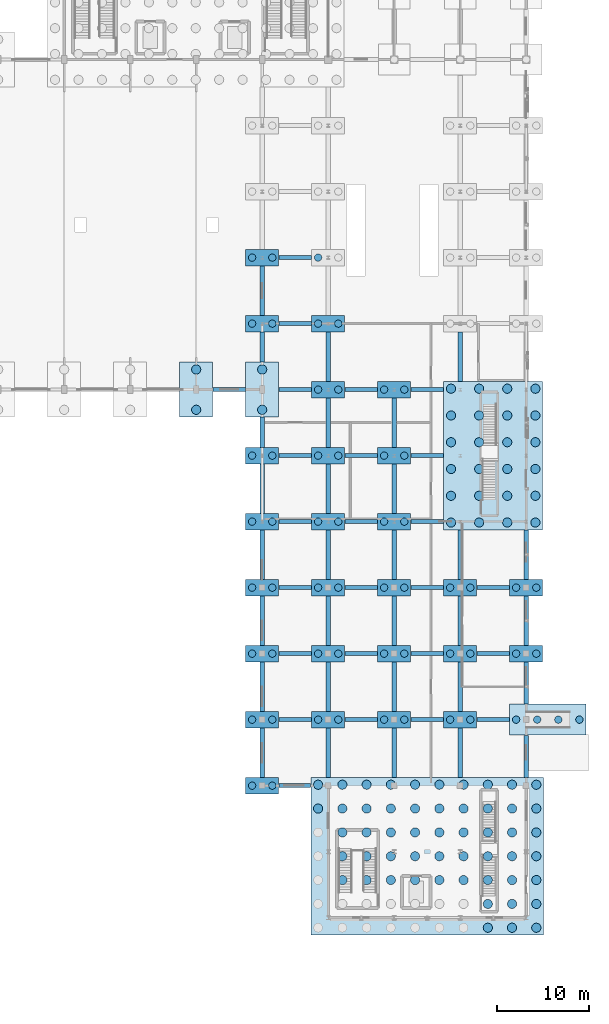
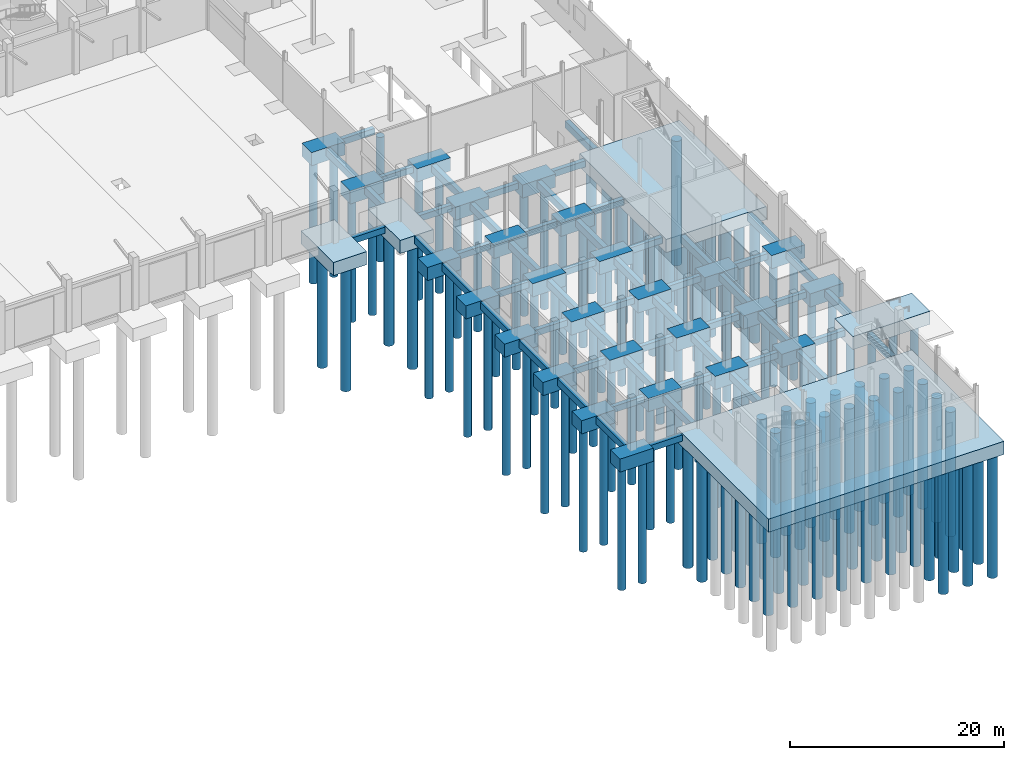
# One storey, part 4 of 45: 138 piles, 86 footings.
"""IFC4 building model written with IfcOpenShell, lengths in metres."""

from ifc_helpers import new_model, si_unit, direction, frame, origin, origin_2d, place, context, subcontext, project, spatial, rectangle, circle, extrude, material, material_profile, profile_set, type_object, element, save


model = new_model("IFC4")

# Units and contexts
model_context = context("Model", 3, precision=1e-05, world=origin(), true_north=direction((0.0, 1.0)))
body_context = subcontext(model_context, "Body", "Model", "MODEL_VIEW")
ifc_project = project(units=[si_unit("LENGTHUNIT", "METRE"), si_unit("AREAUNIT", "SQUARE_METRE"), si_unit("VOLUMEUNIT", "CUBIC_METRE"), si_unit("PLANEANGLEUNIT", "RADIAN"), si_unit("MASSUNIT", "GRAM", prefix="KILO")], contexts=[model_context])

# Site, building, storey
site_placement = place(None, origin())
site = spatial("IfcSite", under=ifc_project, at=site_placement, CompositionType="ELEMENT")
building_placement = place(site_placement, origin())
building = spatial("IfcBuilding", under=site, at=building_placement, Name="Yarey Park Central Fire Station", CompositionType="ELEMENT")
storey_placement = place(building_placement, origin())
storey = spatial("IfcBuildingStorey", under=building, at=storey_placement, Name="L01", CompositionType="ELEMENT", Elevation=0.0)

# Footings
ifc_material = material(Name="Concrete C35/45", Category="concrete")
footing_type_1 = type_object("IfcFootingType", Name="STR_CAP_M03", PredefinedType="PILE_CAP", material=ifc_material)
footing_1_placement = place(storey_placement, frame((154.800048828125, 6.699951171875, -1.5), z_axis=(0.0, 0.0, 1.0), x_axis=(1.0, 0.0, 0.0)))
element("IfcFooting", 1, at=footing_1_placement, inside=storey, type_object=footing_type_1, Name="FDN_CAP_003", PredefinedType="PILE_CAP", context=body_context, shape_type="SweptSolid", body=[
    extrude(rectangle(XDim=25.39990234375, YDim=17.199951171875, at=origin_2d()), origin(), (0.0, 0.0, 1.0), 1.5),
])
footing_type_2 = type_object("IfcFootingType", Name="STR_CAP_M04", PredefinedType="PILE_CAP", material=ifc_material)
footing_2_placement = place(storey_placement, frame((162.0, 50.39990234375, -1.5), z_axis=(0.0, 0.0, 1.0), x_axis=(1.0, 0.0, 0.0)))
element("IfcFooting", 2, at=footing_2_placement, inside=storey, type_object=footing_type_2, Name="FDN_CAP_004", PredefinedType="PILE_CAP", context=body_context, shape_type="SweptSolid", body=[
    extrude(rectangle(XDim=10.800048828125, YDim=16.199951171875, at=origin_2d()), origin(), (0.0, 0.0, 1.0), 1.5),
])
footing_type_3 = type_object("IfcFootingType", Name="STR_CAP_M09", PredefinedType="PILE_CAP", material=ifc_material)
footing_3_placement = place(storey_placement, frame((167.949951171875, 21.60009765625, -1.5), z_axis=(0.0, 0.0, 1.0), x_axis=(1.0, 0.0, 0.0)))
element("IfcFooting", 3, at=footing_3_placement, inside=storey, type_object=footing_type_3, Name="FDN_CAP_009", PredefinedType="PILE_CAP", context=body_context, shape_type="SweptSolid", body=[
    extrude(rectangle(XDim=8.300048828125, YDim=3.39990234375, at=origin_2d()), origin(), (0.0, 0.0, 1.0), 1.5),
])
footing_type_4 = type_object("IfcFootingType", Name="STR_CAP_PC2", PredefinedType="PILE_CAP", material=ifc_material)
for number, where, z_axis, x_axis, name in (
    (4, (136.800048828125, 14.39990234375, -1.5), (0.0, 0.0, 1.0), (1.0, 0.0, 0.0), "FDN_CAP_092"),
    (5, (136.800048828125, 21.60009765625, -1.5), (0.0, 0.0, 1.0), (1.0, 0.0, 0.0), "FDN_CAP_093"),
    (6, (136.800048828125, 28.800048828125, -1.5), (0.0, 0.0, 1.0), (1.0, 0.0, 0.0), "FDN_CAP_094"),
    (7, (136.800048828125, 36.0, -1.5), (0.0, 0.0, 1.0), (1.0, 0.0, 0.0), "FDN_CAP_095"),
    (8, (136.800048828125, 43.199951171875, -1.5), (0.0, 0.0, 1.0), (1.0, 0.0, 0.0), "FDN_CAP_096"),
    (9, (136.800048828125, 50.39990234375, -1.5), (0.0, 0.0, 1.0), (1.0, 0.0, 0.0), "FDN_CAP_097"),
    (10, (136.800048828125, 64.800048828125, -1.5), (0.0, 0.0, 1.0), (1.0, 0.0, 0.0), "FDN_CAP_099"),
    (11, (136.800048828125, 72.0, -1.5), (0.0, 0.0, 1.0), (1.0, 0.0, 0.0), "FDN_CAP_100"),
    (12, (144.0, 21.60009765625, -1.5), (0.0, 0.0, 1.0), (1.0, 0.0, 0.0), "FDN_CAP_105"),
    (13, (144.0, 28.800048828125, -1.5), (0.0, 0.0, 1.0), (1.0, 0.0, 0.0), "FDN_CAP_106"),
    (14, (144.0, 36.0, -1.5), (0.0, 0.0, 1.0), (1.0, 0.0, 0.0), "FDN_CAP_107"),
    (15, (144.0, 43.199951171875, -1.5), (0.0, 0.0, 1.0), (1.0, 0.0, 0.0), "FDN_CAP_108"),
    (16, (144.0, 50.39990234375, -1.5), (0.0, 0.0, 1.0), (1.0, 0.0, 0.0), "FDN_CAP_109"),
    (17, (144.0, 57.60009765625, -1.5), (0.0, 0.0, 1.0), (1.0, 0.0, 0.0), "FDN_CAP_110"),
    (18, (144.0, 64.800048828125, -1.5), (0.0, 0.0, 1.0), (1.0, 0.0, 0.0), "FDN_CAP_111"),
    (19, (151.199951171875, 21.60009765625, -1.5), (0.0, 0.0, 1.0), (1.0, 0.0, 0.0), "FDN_CAP_117"),
    (20, (151.199951171875, 28.800048828125, -1.5), (0.0, 0.0, 1.0), (1.0, 0.0, 0.0), "FDN_CAP_118"),
    (21, (151.199951171875, 36.0, -1.5), (0.0, 0.0, 1.0), (1.0, 0.0, 0.0), "FDN_CAP_119"),
    (22, (151.199951171875, 43.199951171875, -1.5), (0.0, 0.0, 1.0), (1.0, 0.0, 0.0), "FDN_CAP_120"),
    (23, (151.199951171875, 50.39990234375, -1.5), (0.0, 0.0, 1.0), (1.0, 0.0, 0.0), "FDN_CAP_121"),
    (24, (151.199951171875, 57.60009765625, -1.5), (0.0, 0.0, 1.0), (1.0, 0.0, 0.0), "FDN_CAP_122"),
    (25, (158.39990234375, 21.60009765625, -1.5), (0.0, 0.0, 1.0), (1.0, 0.0, 0.0), "FDN_CAP_126"),
    (26, (158.39990234375, 28.800048828125, -1.5), (0.0, 0.0, 1.0), (1.0, 0.0, 0.0), "FDN_CAP_127"),
    (27, (158.39990234375, 36.0, -1.5), (0.0, 0.0, 1.0), (1.0, 0.0, 0.0), "FDN_CAP_128"),
    (28, (165.60009765625, 28.800048828125, -1.5), (0.0, 0.0, 1.0), (1.0, 0.0, 0.0), "FDN_CAP_136"),
    (29, (165.60009765625, 36.0, -1.5), (0.0, 0.0, 1.0), (1.0, 0.0, 0.0), "FDN_CAP_137"),
):
    element("IfcFooting", number, at=place(storey_placement, frame(where, z_axis=z_axis, x_axis=x_axis)), inside=storey, type_object=footing_type_4, Name=name, PredefinedType="PILE_CAP", context=body_context, shape_type="SweptSolid", body=[
        extrude(rectangle(XDim=3.60009765625, YDim=1.800048828125, at=origin_2d()), origin(), (0.0, 0.0, 1.0), 1.5),
    ])
footing_type_5 = type_object("IfcFootingType", Name="STR_CAP_PC6B", PredefinedType="PILE_CAP", material=ifc_material)
for number, where, z_axis, x_axis, name in (
    (30, (129.60009765625, 57.60009765625, -1.5), (0.0, 0.0, 1.0), (1.0, 0.0, 0.0), "FDN_CAP_090"),
    (31, (136.800048828125, 57.60009765625, -1.5), (0.0, 0.0, 1.0), (1.0, 0.0, 0.0), "FDN_CAP_098"),
):
    element("IfcFooting", number, at=place(storey_placement, frame(where, z_axis=z_axis, x_axis=x_axis)), inside=storey, type_object=footing_type_5, Name=name, PredefinedType="PILE_CAP", context=body_context, shape_type="SweptSolid", body=[
        extrude(rectangle(XDim=3.60009765625, YDim=6.0, at=origin_2d()), origin(), (0.0, 0.0, 1.0), 1.5),
    ])
footing_type_6 = type_object("IfcFootingType", Name="STR_GB_1", PredefinedType="FOOTING_BEAM", material=ifc_material)
footing_4_placement = place(storey_placement, frame((140.35009765625, 14.39990234375, -0.85009765625), z_axis=(0.0, 0.0, 1.0), x_axis=(1.0, 0.0, 0.0)))
element("IfcFooting", 32, at=footing_4_placement, inside=storey, type_object=footing_type_6, Name="FDN_GBX_010", PredefinedType="FOOTING_BEAM", context=body_context, shape_type="SweptSolid", body=[
    extrude(rectangle(XDim=3.48388671875, YDim=0.449951171875, at=origin_2d()), origin(), (0.0, 0.0, 1.0), 0.699951171875),
])
for number, where, z_axis, x_axis, name in (
    (33, (140.39990234375, 21.60009765625, -0.85009765625), (0.0, 0.0, 1.0), (1.0, 0.0, 0.0), "FDN_GBX_015"),
    (34, (147.60009765625, 21.60009765625, -0.85009765625), (0.0, 0.0, 1.0), (1.0, 0.0, 0.0), "FDN_GBX_016"),
    (35, (154.800048828125, 21.60009765625, -0.85009765625), (0.0, 0.0, 1.0), (1.0, 0.0, 0.0), "FDN_GBX_017"),
    (36, (162.0, 21.60009765625, -0.85009765625), (0.0, 0.0, 1.0), (1.0, 0.0, 0.0), "FDN_GBX_018"),
    (37, (140.39990234375, 28.800048828125, -0.85009765625), (0.0, 0.0, 1.0), (1.0, 0.0, 0.0), "FDN_GBX_023"),
    (38, (147.60009765625, 28.800048828125, -0.85009765625), (0.0, 0.0, 1.0), (1.0, 0.0, 0.0), "FDN_GBX_024"),
    (39, (154.800048828125, 28.800048828125, -0.85009765625), (0.0, 0.0, 1.0), (1.0, 0.0, 0.0), "FDN_GBX_025"),
    (40, (162.0, 28.800048828125, -0.85009765625), (0.0, 0.0, 1.0), (1.0, 0.0, 0.0), "FDN_GBX_026"),
    (41, (140.39990234375, 36.0, -0.85009765625), (0.0, 0.0, 1.0), (1.0, 0.0, 0.0), "FDN_GBX_033"),
    (42, (147.60009765625, 36.0, -0.85009765625), (0.0, 0.0, 1.0), (1.0, 0.0, 0.0), "FDN_GBX_034"),
    (43, (154.800048828125, 36.0, -0.85009765625), (0.0, 0.0, 1.0), (1.0, 0.0, 0.0), "FDN_GBX_035"),
    (44, (162.0, 36.0, -0.85009765625), (0.0, 0.0, 1.0), (1.0, 0.0, 0.0), "FDN_GBX_036"),
    (45, (140.39990234375, 43.199951171875, -0.85009765625), (0.0, 0.0, 1.0), (1.0, 0.0, 0.0), "FDN_GBX_045"),
    (46, (147.60009765625, 43.199951171875, -0.85009765625), (0.0, 0.0, 1.0), (1.0, 0.0, 0.0), "FDN_GBX_046"),
    (47, (154.800048828125, 43.199951171875, -0.85009765625), (0.0, 0.0, 1.0), (1.0, 0.0, 0.0), "FDN_GBX_047"),
    (48, (140.39990234375, 50.39990234375, -0.85009765625), (0.0, 0.0, 1.0), (1.0, 0.0, 0.0), "FDN_GBX_054"),
    (49, (147.60009765625, 50.39990234375, -0.85009765625), (0.0, 0.0, 1.0), (1.0, 0.0, 0.0), "FDN_GBX_055"),
    (50, (154.800048828125, 50.39990234375, -0.85009765625), (0.0, 0.0, 1.0), (1.0, 0.0, 0.0), "FDN_GBX_056"),
    (51, (133.199951171875, 57.60009765625, -0.85009765625), (0.0, 0.0, 1.0), (1.0, 0.0, 0.0), "FDN_GBX_067"),
    (52, (140.39990234375, 57.60009765625, -0.85009765625), (0.0, 0.0, 1.0), (1.0, 0.0, 0.0), "FDN_GBX_068"),
    (53, (147.60009765625, 57.60009765625, -0.85009765625), (0.0, 0.0, 1.0), (1.0, 0.0, 0.0), "FDN_GBX_069"),
    (54, (154.800048828125, 57.60009765625, -0.85009765625), (0.0, 0.0, 1.0), (1.0, 0.0, 0.0), "FDN_GBX_070"),
    (55, (140.39990234375, 64.800048828125, -0.85009765625), (0.0, 0.0, 1.0), (1.0, 0.0, 0.0), "FDN_GBX_071"),
    (56, (140.39990234375, 72.0, -0.85009765625), (0.0, 0.0, 1.0), (1.0, 0.0, 0.0), "FDN_GBX_077"),
):
    element("IfcFooting", number, at=place(storey_placement, frame(where, z_axis=z_axis, x_axis=x_axis)), inside=storey, type_object=footing_type_6, Name=name, PredefinedType="FOOTING_BEAM", context=body_context, shape_type="SweptSolid", body=[
        extrude(rectangle(XDim=3.583984375, YDim=0.449951171875, at=origin_2d()), origin(), (0.0, 0.0, 1.0), 0.699951171875),
    ])
footing_type_7 = type_object("IfcFootingType", Name="STR_GB_2", PredefinedType="FOOTING_BEAM", material=ifc_material)
for number, where, z_axis, x_axis, name in (
    (57, (136.800048828125, 18.0, -0.89990234375), (0.0, 0.0, 1.0), (1.0, 0.0, 0.0), "FDN_GBY_184"),
    (58, (136.800048828125, 25.199951171875, -0.89990234375), (0.0, 0.0, 1.0), (1.0, 0.0, 0.0), "FDN_GBY_185"),
    (59, (136.800048828125, 32.39990234375, -0.89990234375), (0.0, 0.0, 1.0), (1.0, 0.0, 0.0), "FDN_GBY_186"),
    (60, (136.800048828125, 39.60009765625, -0.89990234375), (0.0, 0.0, 1.0), (1.0, 0.0, 0.0), "FDN_GBY_187"),
    (61, (136.800048828125, 46.800048828125, -0.89990234375), (0.0, 0.0, 1.0), (1.0, 0.0, 0.0), "FDN_GBY_188"),
):
    element("IfcFooting", number, at=place(storey_placement, frame(where, z_axis=z_axis, x_axis=x_axis)), inside=storey, type_object=footing_type_7, Name=name, PredefinedType="FOOTING_BEAM", context=body_context, shape_type="SweptSolid", body=[
        extrude(rectangle(XDim=0.5, YDim=5.384033203125, at=origin_2d()), origin(), (0.0, 0.0, 1.0), 0.800048828125),
    ])
for number, where, z_axis, x_axis, name in (
    (62, (136.800048828125, 52.949951171875, -0.89990234375), (0.0, 0.0, 1.0), (1.0, 0.0, 0.0), "FDN_GBY_189"),
    (63, (136.800048828125, 62.25, -0.89990234375), (0.0, 0.0, 1.0), (1.0, 0.0, 0.0), "FDN_GBY_190"),
):
    element("IfcFooting", number, at=place(storey_placement, frame(where, z_axis=z_axis, x_axis=x_axis)), inside=storey, type_object=footing_type_7, Name=name, PredefinedType="FOOTING_BEAM", context=body_context, shape_type="SweptSolid", body=[
        extrude(rectangle(XDim=0.5, YDim=3.283935546875, at=origin_2d()), origin(), (0.0, 0.0, 1.0), 0.800048828125),
    ])
for number, where, z_axis, x_axis, name in (
    (64, (136.800048828125, 68.39990234375, -0.89990234375), (0.0, 0.0, 1.0), (1.0, 0.0, 0.0), "FDN_GBY_191"),
    (65, (144.0, 18.0, -0.89990234375), (0.0, 0.0, 1.0), (1.0, 0.0, 0.0), "FDN_GBY_197"),
    (66, (144.0, 25.199951171875, -0.89990234375), (0.0, 0.0, 1.0), (1.0, 0.0, 0.0), "FDN_GBY_198"),
    (67, (144.0, 32.39990234375, -0.89990234375), (0.0, 0.0, 1.0), (1.0, 0.0, 0.0), "FDN_GBY_199"),
    (68, (144.0, 39.60009765625, -0.89990234375), (0.0, 0.0, 1.0), (1.0, 0.0, 0.0), "FDN_GBY_200"),
    (69, (144.0, 46.800048828125, -0.89990234375), (0.0, 0.0, 1.0), (1.0, 0.0, 0.0), "FDN_GBY_201"),
    (70, (144.0, 54.0, -0.89990234375), (0.0, 0.0, 1.0), (1.0, 0.0, 0.0), "FDN_GBY_202"),
    (71, (144.0, 61.199951171875, -0.89990234375), (0.0, 0.0, 1.0), (1.0, 0.0, 0.0), "FDN_GBY_203"),
    (72, (151.199951171875, 18.0, -0.89990234375), (0.0, 0.0, 1.0), (1.0, 0.0, 0.0), "FDN_GBY_210"),
    (73, (151.199951171875, 25.199951171875, -0.89990234375), (0.0, 0.0, 1.0), (1.0, 0.0, 0.0), "FDN_GBY_211"),
    (74, (151.199951171875, 32.39990234375, -0.89990234375), (0.0, 0.0, 1.0), (1.0, 0.0, 0.0), "FDN_GBY_212"),
    (75, (151.199951171875, 39.60009765625, -0.89990234375), (0.0, 0.0, 1.0), (1.0, 0.0, 0.0), "FDN_GBY_213"),
    (76, (151.199951171875, 46.800048828125, -0.89990234375), (0.0, 0.0, 1.0), (1.0, 0.0, 0.0), "FDN_GBY_214"),
    (77, (151.199951171875, 54.0, -0.89990234375), (0.0, 0.0, 1.0), (1.0, 0.0, 0.0), "FDN_GBY_215"),
    (78, (158.39990234375, 18.0, -0.89990234375), (0.0, 0.0, 1.0), (1.0, 0.0, 0.0), "FDN_GBY_219"),
    (79, (158.39990234375, 25.199951171875, -0.89990234375), (0.0, 0.0, 1.0), (1.0, 0.0, 0.0), "FDN_GBY_220"),
    (80, (158.39990234375, 32.39990234375, -0.89990234375), (0.0, 0.0, 1.0), (1.0, 0.0, 0.0), "FDN_GBY_221"),
    (81, (158.39990234375, 39.60009765625, -0.89990234375), (0.0, 0.0, 1.0), (1.0, 0.0, 0.0), "FDN_GBY_222"),
    (82, (158.39990234375, 61.199951171875, -0.89990234375), (0.0, 0.0, 1.0), (1.0, 0.0, 0.0), "FDN_GBY_223"),
):
    element("IfcFooting", number, at=place(storey_placement, frame(where, z_axis=z_axis, x_axis=x_axis)), inside=storey, type_object=footing_type_7, Name=name, PredefinedType="FOOTING_BEAM", context=body_context, shape_type="SweptSolid", body=[
        extrude(rectangle(XDim=0.5, YDim=5.384033203125, at=origin_2d()), origin(), (0.0, 0.0, 1.0), 0.800048828125),
    ])
for number, where, z_axis, x_axis, name in (
    (83, (165.60009765625, 17.60009765625, -0.89990234375), (0.0, 0.0, 1.0), (1.0, 0.0, 0.0), "FDN_GBY_231"),
    (84, (165.60009765625, 25.60009765625, -0.89990234375), (0.0, 0.0, 1.0), (1.0, 0.0, 0.0), "FDN_GBY_232"),
):
    element("IfcFooting", number, at=place(storey_placement, frame(where, z_axis=z_axis, x_axis=x_axis)), inside=storey, type_object=footing_type_7, Name=name, PredefinedType="FOOTING_BEAM", context=body_context, shape_type="SweptSolid", body=[
        extrude(rectangle(XDim=0.5, YDim=4.583984375, at=origin_2d()), origin(), (0.0, 0.0, 1.0), 0.800048828125),
    ])
for number, where, z_axis, x_axis, name in (
    (85, (165.60009765625, 32.39990234375, -0.89990234375), (0.0, 0.0, 1.0), (1.0, 0.0, 0.0), "FDN_GBY_233"),
    (86, (165.60009765625, 39.60009765625, -0.89990234375), (0.0, 0.0, 1.0), (1.0, 0.0, 0.0), "FDN_GBY_234"),
):
    element("IfcFooting", number, at=place(storey_placement, frame(where, z_axis=z_axis, x_axis=x_axis)), inside=storey, type_object=footing_type_7, Name=name, PredefinedType="FOOTING_BEAM", context=body_context, shape_type="SweptSolid", body=[
        extrude(rectangle(XDim=0.5, YDim=5.384033203125, at=origin_2d()), origin(), (0.0, 0.0, 1.0), 0.800048828125),
    ])

# Piles
ifc_material_profile_1 = material_profile(ifc_material, circle(Radius=0.5, at=origin_2d()), Name="BORED PILE D1000")
ifc_profile_set_1 = profile_set([ifc_material_profile_1], Name="Concrete C35/45")
pile_type_1 = type_object("IfcPileType", Name="STR_PILE_D1000", PredefinedType="BORED", material=ifc_profile_set_1)
for number, where, z_axis, x_axis, name in (
    (87, (142.89990234375, 11.89990234375, -1.300048828125), (0.0, 0.0, -1.0), (1.0, 0.0, 0.0), "FDN_PILE_X14290_Y1190"),
    (88, (142.89990234375, 14.5, -1.300048828125), (0.0, 0.0, -1.0), (1.0, 0.0, 0.0), "FDN_PILE_X14290_Y1450"),
    (89, (145.54443359375, 4.10009765625, -1.300048828125), (0.0, 0.0, -1.0), (1.0, 0.0, 0.0), "FDN_PILE_X14554_Y410"),
    (90, (145.54443359375, 6.699951171875, -1.300048828125), (0.0, 0.0, -1.0), (1.0, 0.0, 0.0), "FDN_PILE_X14554_Y670"),
    (91, (145.54443359375, 9.300048828125, -1.300048828125), (0.0, 0.0, -1.0), (1.0, 0.0, 0.0), "FDN_PILE_X14554_Y930"),
    (92, (145.54443359375, 11.89990234375, -1.300048828125), (0.0, 0.0, -1.0), (1.0, 0.0, 0.0), "FDN_PILE_X14554_Y1190"),
    (93, (145.54443359375, 14.5, -1.300048828125), (0.0, 0.0, -1.0), (1.0, 0.0, 0.0), "FDN_PILE_X14554_Y1450"),
    (94, (148.18896484375, 4.10009765625, -1.300048828125), (0.0, 0.0, -1.0), (1.0, 0.0, 0.0), "FDN_PILE_X14819_Y410"),
    (95, (148.18896484375, 6.699951171875, -1.300048828125), (0.0, 0.0, -1.0), (1.0, 0.0, 0.0), "FDN_PILE_X14819_Y670"),
    (96, (148.18896484375, 9.300048828125, -1.300048828125), (0.0, 0.0, -1.0), (1.0, 0.0, 0.0), "FDN_PILE_X14819_Y930"),
    (97, (148.18896484375, 11.89990234375, -1.300048828125), (0.0, 0.0, -1.0), (1.0, 0.0, 0.0), "FDN_PILE_X14819_Y1190"),
    (98, (148.18896484375, 14.5, -1.300048828125), (0.0, 0.0, -1.0), (1.0, 0.0, 0.0), "FDN_PILE_X14819_Y1450"),
    (99, (150.833251953125, 4.10009765625, -1.300048828125), (0.0, 0.0, -1.0), (1.0, 0.0, 0.0), "FDN_PILE_X15083_Y410"),
    (100, (150.833251953125, 6.699951171875, -1.300048828125), (0.0, 0.0, -1.0), (1.0, 0.0, 0.0), "FDN_PILE_X15083_Y670"),
    (101, (150.833251953125, 9.300048828125, -1.300048828125), (0.0, 0.0, -1.0), (1.0, 0.0, 0.0), "FDN_PILE_X15083_Y930"),
    (102, (150.833251953125, 11.89990234375, -1.300048828125), (0.0, 0.0, -1.0), (1.0, 0.0, 0.0), "FDN_PILE_X15083_Y1190"),
    (103, (150.833251953125, 14.5, -1.300048828125), (0.0, 0.0, -1.0), (1.0, 0.0, 0.0), "FDN_PILE_X15083_Y1450"),
    (104, (153.477783203125, 4.10009765625, -1.300048828125), (0.0, 0.0, -1.0), (1.0, 0.0, 0.0), "FDN_PILE_X15348_Y410"),
    (105, (153.477783203125, 6.699951171875, -1.300048828125), (0.0, 0.0, -1.0), (1.0, 0.0, 0.0), "FDN_PILE_X15348_Y670"),
    (106, (153.477783203125, 9.300048828125, -1.300048828125), (0.0, 0.0, -1.0), (1.0, 0.0, 0.0), "FDN_PILE_X15348_Y930"),
    (107, (153.477783203125, 11.89990234375, -1.300048828125), (0.0, 0.0, -1.0), (1.0, 0.0, 0.0), "FDN_PILE_X15348_Y1190"),
    (108, (153.477783203125, 14.5, -1.300048828125), (0.0, 0.0, -1.0), (1.0, 0.0, 0.0), "FDN_PILE_X15348_Y1450"),
    (109, (156.122314453125, 4.10009765625, -1.300048828125), (0.0, 0.0, -1.0), (1.0, 0.0, 0.0), "FDN_PILE_X15612_Y410"),
    (110, (156.122314453125, 6.699951171875, -1.300048828125), (0.0, 0.0, -1.0), (1.0, 0.0, 0.0), "FDN_PILE_X15612_Y670"),
    (111, (156.122314453125, 9.300048828125, -1.300048828125), (0.0, 0.0, -1.0), (1.0, 0.0, 0.0), "FDN_PILE_X15612_Y930"),
    (112, (156.122314453125, 11.89990234375, -1.300048828125), (0.0, 0.0, -1.0), (1.0, 0.0, 0.0), "FDN_PILE_X15612_Y1190"),
    (113, (156.122314453125, 14.5, -1.300048828125), (0.0, 0.0, -1.0), (1.0, 0.0, 0.0), "FDN_PILE_X15612_Y1450"),
    (114, (158.7666015625, 4.10009765625, -1.300048828125), (0.0, 0.0, -1.0), (1.0, 0.0, 0.0), "FDN_PILE_X15877_Y410"),
    (115, (158.7666015625, 6.699951171875, -1.300048828125), (0.0, 0.0, -1.0), (1.0, 0.0, 0.0), "FDN_PILE_X15877_Y670"),
    (116, (158.7666015625, 9.300048828125, -1.300048828125), (0.0, 0.0, -1.0), (1.0, 0.0, 0.0), "FDN_PILE_X15877_Y930"),
    (117, (158.7666015625, 11.89990234375, -1.300048828125), (0.0, 0.0, -1.0), (1.0, 0.0, 0.0), "FDN_PILE_X15877_Y1190"),
    (118, (158.7666015625, 14.5, -1.300048828125), (0.0, 0.0, -1.0), (1.0, 0.0, 0.0), "FDN_PILE_X15877_Y1450"),
    (119, (161.4111328125, -1.10009765625, -1.300048828125), (0.0, 0.0, -1.0), (1.0, 0.0, 0.0), "FDN_PILE_X16141_Y-110"),
    (120, (161.4111328125, 1.5, -1.300048828125), (0.0, 0.0, -1.0), (1.0, 0.0, 0.0), "FDN_PILE_X16141_Y150"),
    (121, (161.4111328125, 4.10009765625, -1.300048828125), (0.0, 0.0, -1.0), (1.0, 0.0, 0.0), "FDN_PILE_X16141_Y410"),
    (122, (161.4111328125, 6.699951171875, -1.300048828125), (0.0, 0.0, -1.0), (1.0, 0.0, 0.0), "FDN_PILE_X16141_Y670"),
    (123, (161.4111328125, 9.300048828125, -1.300048828125), (0.0, 0.0, -1.0), (1.0, 0.0, 0.0), "FDN_PILE_X16141_Y930"),
    (124, (161.4111328125, 11.89990234375, -1.300048828125), (0.0, 0.0, -1.0), (1.0, 0.0, 0.0), "FDN_PILE_X16141_Y1190"),
    (125, (161.4111328125, 14.5, -1.300048828125), (0.0, 0.0, -1.0), (1.0, 0.0, 0.0), "FDN_PILE_X16141_Y1450"),
    (126, (164.0556640625, -1.10009765625, -1.300048828125), (0.0, 0.0, -1.0), (1.0, 0.0, 0.0), "FDN_PILE_X16406_Y-110"),
    (127, (164.0556640625, 1.5, -1.300048828125), (0.0, 0.0, -1.0), (1.0, 0.0, 0.0), "FDN_PILE_X16406_Y150"),
    (128, (164.0556640625, 4.10009765625, -1.300048828125), (0.0, 0.0, -1.0), (1.0, 0.0, 0.0), "FDN_PILE_X16406_Y410"),
    (129, (164.0556640625, 6.699951171875, -1.300048828125), (0.0, 0.0, -1.0), (1.0, 0.0, 0.0), "FDN_PILE_X16406_Y670"),
    (130, (164.0556640625, 9.300048828125, -1.300048828125), (0.0, 0.0, -1.0), (1.0, 0.0, 0.0), "FDN_PILE_X16406_Y930"),
    (131, (164.0556640625, 11.89990234375, -1.300048828125), (0.0, 0.0, -1.0), (1.0, 0.0, 0.0), "FDN_PILE_X16406_Y1190"),
    (132, (164.0556640625, 14.5, -1.300048828125), (0.0, 0.0, -1.0), (1.0, 0.0, 0.0), "FDN_PILE_X16406_Y1450"),
    (133, (166.699951171875, -1.10009765625, -1.300048828125), (0.0, 0.0, -1.0), (1.0, 0.0, 0.0), "FDN_PILE_X16670_Y-110"),
    (134, (166.699951171875, 1.5, -1.300048828125), (0.0, 0.0, -1.0), (1.0, 0.0, 0.0), "FDN_PILE_X16670_Y150"),
    (135, (166.699951171875, 4.10009765625, -1.300048828125), (0.0, 0.0, -1.0), (1.0, 0.0, 0.0), "FDN_PILE_X16670_Y410"),
    (136, (166.699951171875, 6.699951171875, -1.300048828125), (0.0, 0.0, -1.0), (1.0, 0.0, 0.0), "FDN_PILE_X16670_Y670"),
    (137, (166.699951171875, 9.300048828125, -1.300048828125), (0.0, 0.0, -1.0), (1.0, 0.0, 0.0), "FDN_PILE_X16670_Y930"),
    (138, (166.699951171875, 11.89990234375, -1.300048828125), (0.0, 0.0, -1.0), (1.0, 0.0, 0.0), "FDN_PILE_X16670_Y1190"),
    (139, (166.699951171875, 14.5, -1.300048828125), (0.0, 0.0, -1.0), (1.0, 0.0, 0.0), "FDN_PILE_X16670_Y1450"),
    (140, (157.39990234375, 43.10009765625, -1.300048828125), (0.0, 0.0, -1.0), (1.0, 0.0, 0.0), "FDN_PILE_X15740_Y4310"),
    (141, (157.39990234375, 46.02001953125, -1.300048828125), (0.0, 0.0, -1.0), (1.0, 0.0, 0.0), "FDN_PILE_X15740_Y4602"),
    (142, (157.39990234375, 48.93994140625, -1.300048828125), (0.0, 0.0, -1.0), (1.0, 0.0, 0.0), "FDN_PILE_X15740_Y4894"),
    (143, (157.39990234375, 51.860107421875, -1.300048828125), (0.0, 0.0, -1.0), (1.0, 0.0, 0.0), "FDN_PILE_X15740_Y5186"),
    (144, (157.39990234375, 54.780029296875, -1.300048828125), (0.0, 0.0, -1.0), (1.0, 0.0, 0.0), "FDN_PILE_X15740_Y5478"),
    (145, (157.39990234375, 57.699951171875, -1.300048828125), (0.0, 0.0, -1.0), (1.0, 0.0, 0.0), "FDN_PILE_X15740_Y5770"),
    (146, (160.466796875, 43.10009765625, -1.300048828125), (0.0, 0.0, -1.0), (1.0, 0.0, 0.0), "FDN_PILE_X16047_Y4310"),
    (147, (160.466796875, 46.02001953125, -1.300048828125), (0.0, 0.0, -1.0), (1.0, 0.0, 0.0), "FDN_PILE_X16047_Y4602"),
    (148, (160.466796875, 48.93994140625, -1.300048828125), (0.0, 0.0, -1.0), (1.0, 0.0, 0.0), "FDN_PILE_X16047_Y4894"),
    (149, (160.466796875, 51.860107421875, -1.300048828125), (0.0, 0.0, -1.0), (1.0, 0.0, 0.0), "FDN_PILE_X16047_Y5186"),
    (150, (160.466796875, 54.780029296875, -1.300048828125), (0.0, 0.0, -1.0), (1.0, 0.0, 0.0), "FDN_PILE_X16047_Y5478"),
    (151, (160.466796875, 57.699951171875, -1.300048828125), (0.0, 0.0, -1.0), (1.0, 0.0, 0.0), "FDN_PILE_X16047_Y5770"),
    (152, (163.533203125, 43.10009765625, -1.300048828125), (0.0, 0.0, -1.0), (1.0, 0.0, 0.0), "FDN_PILE_X16353_Y4310"),
    (153, (163.533203125, 46.02001953125, -1.300048828125), (0.0, 0.0, -1.0), (1.0, 0.0, 0.0), "FDN_PILE_X16353_Y4602"),
    (154, (163.533203125, 48.93994140625, -1.300048828125), (0.0, 0.0, -1.0), (1.0, 0.0, 0.0), "FDN_PILE_X16353_Y4894"),
    (155, (163.533203125, 51.860107421875, -1.300048828125), (0.0, 0.0, -1.0), (1.0, 0.0, 0.0), "FDN_PILE_X16353_Y5186"),
    (156, (163.533203125, 54.780029296875, -1.300048828125), (0.0, 0.0, -1.0), (1.0, 0.0, 0.0), "FDN_PILE_X16353_Y5478"),
    (157, (163.533203125, 57.699951171875, -1.300048828125), (0.0, 0.0, -1.0), (1.0, 0.0, 0.0), "FDN_PILE_X16353_Y5770"),
    (158, (166.60009765625, 43.10009765625, -1.300048828125), (0.0, 0.0, -1.0), (1.0, 0.0, 0.0), "FDN_PILE_X16660_Y4310"),
    (159, (166.60009765625, 46.02001953125, -1.300048828125), (0.0, 0.0, -1.0), (1.0, 0.0, 0.0), "FDN_PILE_X16660_Y4602"),
    (160, (166.60009765625, 48.93994140625, -1.300048828125), (0.0, 0.0, -1.0), (1.0, 0.0, 0.0), "FDN_PILE_X16660_Y4894"),
    (161, (166.60009765625, 51.860107421875, -1.300048828125), (0.0, 0.0, -1.0), (1.0, 0.0, 0.0), "FDN_PILE_X16660_Y5186"),
    (162, (166.60009765625, 54.780029296875, -1.300048828125), (0.0, 0.0, -1.0), (1.0, 0.0, 0.0), "FDN_PILE_X16660_Y5478"),
    (163, (166.60009765625, 57.699951171875, -1.300048828125), (0.0, 0.0, -1.0), (1.0, 0.0, 0.0), "FDN_PILE_X16660_Y5770"),
    (164, (129.60009765625, 55.39990234375, -1.300048828125), (0.0, 0.0, -1.0), (1.0, 0.0, 0.0), "FDN_PILE_X12960_Y5540"),
    (165, (129.60009765625, 59.800048828125, -1.300048828125), (0.0, 0.0, -1.0), (1.0, 0.0, 0.0), "FDN_PILE_X12960_Y5980"),
    (166, (136.800048828125, 55.39990234375, -1.300048828125), (0.0, 0.0, -1.0), (1.0, 0.0, 0.0), "FDN_PILE_X13680_Y5540"),
    (167, (136.800048828125, 59.800048828125, -1.300048828125), (0.0, 0.0, -1.0), (1.0, 0.0, 0.0), "FDN_PILE_X13680_Y5980"),
):
    element("IfcPile", number, at=place(storey_placement, frame(where, z_axis=z_axis, x_axis=x_axis)), inside=storey, type_object=pile_type_1, Name=name, PredefinedType="BORED", context=body_context, shape_type="SweptSolid", body=[
        extrude(circle(Radius=0.5, at=origin_2d()), origin(), (0.0, 0.0, 1.0), 14.199951171875),
    ])
ifc_material_profile_2 = material_profile(ifc_material, circle(Radius=0.39990234375, at=origin_2d()), Name="BORED PILE D800")
ifc_profile_set_2 = profile_set([ifc_material_profile_2], Name="Concrete C35/45")
pile_type_2 = type_object("IfcPileType", Name="STR_PILE_D800", PredefinedType="BORED", material=ifc_profile_set_2)
for number, where, z_axis, x_axis, name in (
    (168, (164.5, 21.60009765625, -1.300048828125), (0.0, 0.0, -1.0), (1.0, 0.0, 0.0), "FDN_PILE_X16450_Y2160"),
    (169, (166.800048828125, 21.60009765625, -1.300048828125), (0.0, 0.0, -1.0), (1.0, 0.0, 0.0), "FDN_PILE_X16680_Y2160"),
    (170, (169.10009765625, 21.60009765625, -1.300048828125), (0.0, 0.0, -1.0), (1.0, 0.0, 0.0), "FDN_PILE_X16910_Y2160"),
    (171, (171.39990234375, 21.60009765625, -1.300048828125), (0.0, 0.0, -1.0), (1.0, 0.0, 0.0), "FDN_PILE_X17140_Y2160"),
    (172, (135.699951171875, 14.39990234375, -1.300048828125), (0.0, 0.0, -1.0), (1.0, 0.0, 0.0), "FDN_PILE_X13570_Y1440"),
    (173, (137.89990234375, 14.39990234375, -1.300048828125), (0.0, 0.0, -1.0), (1.0, 0.0, 0.0), "FDN_PILE_X13790_Y1440"),
    (174, (135.699951171875, 21.60009765625, -1.300048828125), (0.0, 0.0, -1.0), (1.0, 0.0, 0.0), "FDN_PILE_X13570_Y2160"),
    (175, (137.89990234375, 21.60009765625, -1.300048828125), (0.0, 0.0, -1.0), (1.0, 0.0, 0.0), "FDN_PILE_X13790_Y2160"),
    (176, (135.699951171875, 28.800048828125, -1.300048828125), (0.0, 0.0, -1.0), (1.0, 0.0, 0.0), "FDN_PILE_X13570_Y2880"),
    (177, (137.89990234375, 28.800048828125, -1.300048828125), (0.0, 0.0, -1.0), (1.0, 0.0, 0.0), "FDN_PILE_X13790_Y2880"),
    (178, (135.699951171875, 36.0, -1.300048828125), (0.0, 0.0, -1.0), (1.0, 0.0, 0.0), "FDN_PILE_X13570_Y3600"),
    (179, (137.89990234375, 36.0, -1.300048828125), (0.0, 0.0, -1.0), (1.0, 0.0, 0.0), "FDN_PILE_X13790_Y3600"),
    (180, (135.699951171875, 43.199951171875, -1.300048828125), (0.0, 0.0, -1.0), (1.0, 0.0, 0.0), "FDN_PILE_X13570_Y4320"),
    (181, (137.89990234375, 43.199951171875, -1.300048828125), (0.0, 0.0, -1.0), (1.0, 0.0, 0.0), "FDN_PILE_X13790_Y4320"),
    (182, (135.699951171875, 50.39990234375, -1.300048828125), (0.0, 0.0, -1.0), (1.0, 0.0, 0.0), "FDN_PILE_X13570_Y5040"),
    (183, (137.89990234375, 50.39990234375, -1.300048828125), (0.0, 0.0, -1.0), (1.0, 0.0, 0.0), "FDN_PILE_X13790_Y5040"),
    (184, (135.699951171875, 64.800048828125, -1.300048828125), (0.0, 0.0, -1.0), (1.0, 0.0, 0.0), "FDN_PILE_X13570_Y6480"),
    (185, (137.89990234375, 64.800048828125, -1.300048828125), (0.0, 0.0, -1.0), (1.0, 0.0, 0.0), "FDN_PILE_X13790_Y6480"),
    (186, (135.699951171875, 72.0, -1.300048828125), (0.0, 0.0, -1.0), (1.0, 0.0, 0.0), "FDN_PILE_X13570_Y7200"),
    (187, (137.89990234375, 72.0, -1.300048828125), (0.0, 0.0, -1.0), (1.0, 0.0, 0.0), "FDN_PILE_X13790_Y7200"),
    (188, (142.89990234375, 21.60009765625, -1.300048828125), (0.0, 0.0, -1.0), (1.0, 0.0, 0.0), "FDN_PILE_X14290_Y2160"),
    (189, (145.10009765625, 21.60009765625, -1.300048828125), (0.0, 0.0, -1.0), (1.0, 0.0, 0.0), "FDN_PILE_X14510_Y2160"),
    (190, (142.89990234375, 28.800048828125, -1.300048828125), (0.0, 0.0, -1.0), (1.0, 0.0, 0.0), "FDN_PILE_X14290_Y2880"),
    (191, (145.10009765625, 28.800048828125, -1.300048828125), (0.0, 0.0, -1.0), (1.0, 0.0, 0.0), "FDN_PILE_X14510_Y2880"),
    (192, (142.89990234375, 36.0, -1.300048828125), (0.0, 0.0, -1.0), (1.0, 0.0, 0.0), "FDN_PILE_X14290_Y3600"),
    (193, (145.10009765625, 36.0, -1.300048828125), (0.0, 0.0, -1.0), (1.0, 0.0, 0.0), "FDN_PILE_X14510_Y3600"),
    (194, (142.89990234375, 43.199951171875, -1.300048828125), (0.0, 0.0, -1.0), (1.0, 0.0, 0.0), "FDN_PILE_X14290_Y4320"),
    (195, (145.10009765625, 43.199951171875, -1.300048828125), (0.0, 0.0, -1.0), (1.0, 0.0, 0.0), "FDN_PILE_X14510_Y4320"),
    (196, (142.89990234375, 50.39990234375, -1.300048828125), (0.0, 0.0, -1.0), (1.0, 0.0, 0.0), "FDN_PILE_X14290_Y5040"),
    (197, (145.10009765625, 50.39990234375, -1.300048828125), (0.0, 0.0, -1.0), (1.0, 0.0, 0.0), "FDN_PILE_X14510_Y5040"),
    (198, (142.89990234375, 57.60009765625, -1.300048828125), (0.0, 0.0, -1.0), (1.0, 0.0, 0.0), "FDN_PILE_X14290_Y5760"),
    (199, (145.10009765625, 57.60009765625, -1.300048828125), (0.0, 0.0, -1.0), (1.0, 0.0, 0.0), "FDN_PILE_X14510_Y5760"),
    (200, (142.89990234375, 64.800048828125, -1.300048828125), (0.0, 0.0, -1.0), (1.0, 0.0, 0.0), "FDN_PILE_X14290_Y6480"),
    (201, (145.10009765625, 64.800048828125, -1.300048828125), (0.0, 0.0, -1.0), (1.0, 0.0, 0.0), "FDN_PILE_X14510_Y6480"),
    (202, (142.89990234375, 72.0, -1.300048828125), (0.0, 0.0, -1.0), (1.0, 0.0, 0.0), "FDN_PILE_X14290_Y7200"),
    (203, (150.10009765625, 21.60009765625, -1.300048828125), (0.0, 0.0, -1.0), (1.0, 0.0, 0.0), "FDN_PILE_X15010_Y2160"),
    (204, (152.300048828125, 21.60009765625, -1.300048828125), (0.0, 0.0, -1.0), (1.0, 0.0, 0.0), "FDN_PILE_X15230_Y2160"),
    (205, (150.10009765625, 28.800048828125, -1.300048828125), (0.0, 0.0, -1.0), (1.0, 0.0, 0.0), "FDN_PILE_X15010_Y2880"),
    (206, (152.300048828125, 28.800048828125, -1.300048828125), (0.0, 0.0, -1.0), (1.0, 0.0, 0.0), "FDN_PILE_X15230_Y2880"),
    (207, (150.10009765625, 36.0, -1.300048828125), (0.0, 0.0, -1.0), (1.0, 0.0, 0.0), "FDN_PILE_X15010_Y3600"),
    (208, (152.300048828125, 36.0, -1.300048828125), (0.0, 0.0, -1.0), (1.0, 0.0, 0.0), "FDN_PILE_X15230_Y3600"),
    (209, (150.10009765625, 43.199951171875, -1.300048828125), (0.0, 0.0, -1.0), (1.0, 0.0, 0.0), "FDN_PILE_X15010_Y4320"),
    (210, (152.300048828125, 43.199951171875, -1.300048828125), (0.0, 0.0, -1.0), (1.0, 0.0, 0.0), "FDN_PILE_X15230_Y4320"),
    (211, (150.10009765625, 50.39990234375, -1.300048828125), (0.0, 0.0, -1.0), (1.0, 0.0, 0.0), "FDN_PILE_X15010_Y5040"),
    (212, (152.300048828125, 50.39990234375, -1.300048828125), (0.0, 0.0, -1.0), (1.0, 0.0, 0.0), "FDN_PILE_X15230_Y5040"),
    (213, (150.10009765625, 57.60009765625, -1.300048828125), (0.0, 0.0, -1.0), (1.0, 0.0, 0.0), "FDN_PILE_X15010_Y5760"),
    (214, (152.300048828125, 57.60009765625, -1.300048828125), (0.0, 0.0, -1.0), (1.0, 0.0, 0.0), "FDN_PILE_X15230_Y5760"),
    (215, (157.300048828125, 21.60009765625, -1.300048828125), (0.0, 0.0, -1.0), (1.0, 0.0, 0.0), "FDN_PILE_X15730_Y2160"),
    (216, (159.5, 21.60009765625, -1.300048828125), (0.0, 0.0, -1.0), (1.0, 0.0, 0.0), "FDN_PILE_X15950_Y2160"),
    (217, (157.300048828125, 28.800048828125, -1.300048828125), (0.0, 0.0, -1.0), (1.0, 0.0, 0.0), "FDN_PILE_X15730_Y2880"),
    (218, (159.5, 28.800048828125, -1.300048828125), (0.0, 0.0, -1.0), (1.0, 0.0, 0.0), "FDN_PILE_X15950_Y2880"),
    (219, (157.300048828125, 36.0, -1.300048828125), (0.0, 0.0, -1.0), (1.0, 0.0, 0.0), "FDN_PILE_X15730_Y3600"),
    (220, (159.5, 36.0, -1.300048828125), (0.0, 0.0, -1.0), (1.0, 0.0, 0.0), "FDN_PILE_X15950_Y3600"),
    (221, (164.5, 28.800048828125, -1.300048828125), (0.0, 0.0, -1.0), (1.0, 0.0, 0.0), "FDN_PILE_X16450_Y2880"),
    (222, (166.699951171875, 28.800048828125, -1.300048828125), (0.0, 0.0, -1.0), (1.0, 0.0, 0.0), "FDN_PILE_X16670_Y2880"),
    (223, (164.5, 36.0, -1.300048828125), (0.0, 0.0, -1.0), (1.0, 0.0, 0.0), "FDN_PILE_X16450_Y3600"),
    (224, (166.699951171875, 36.0, -1.300048828125), (0.0, 0.0, -1.0), (1.0, 0.0, 0.0), "FDN_PILE_X16670_Y3600"),
):
    element("IfcPile", number, at=place(storey_placement, frame(where, z_axis=z_axis, x_axis=x_axis)), inside=storey, type_object=pile_type_2, Name=name, PredefinedType="BORED", context=body_context, shape_type="SweptSolid", body=[
        extrude(circle(Radius=0.39990234375, at=origin_2d()), origin(), (0.0, 0.0, 1.0), 14.199951171875),
    ])

save(model, "model.ifc")
